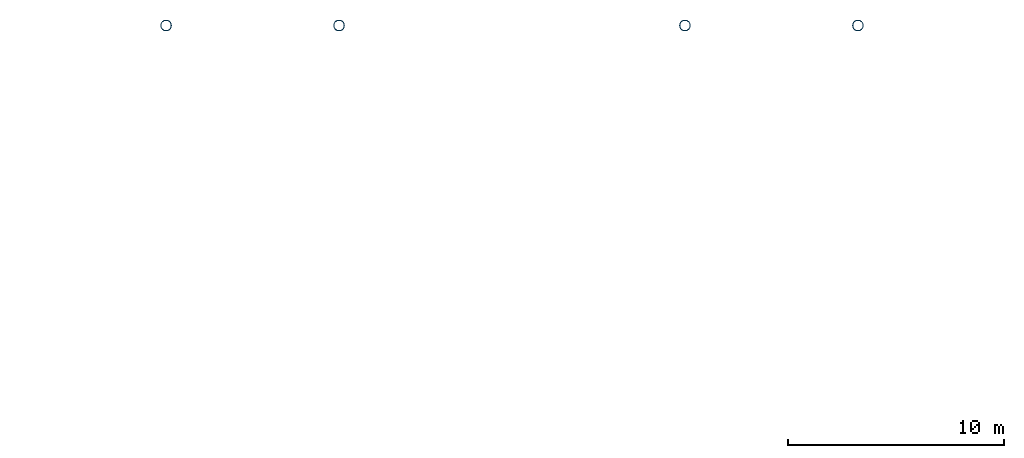
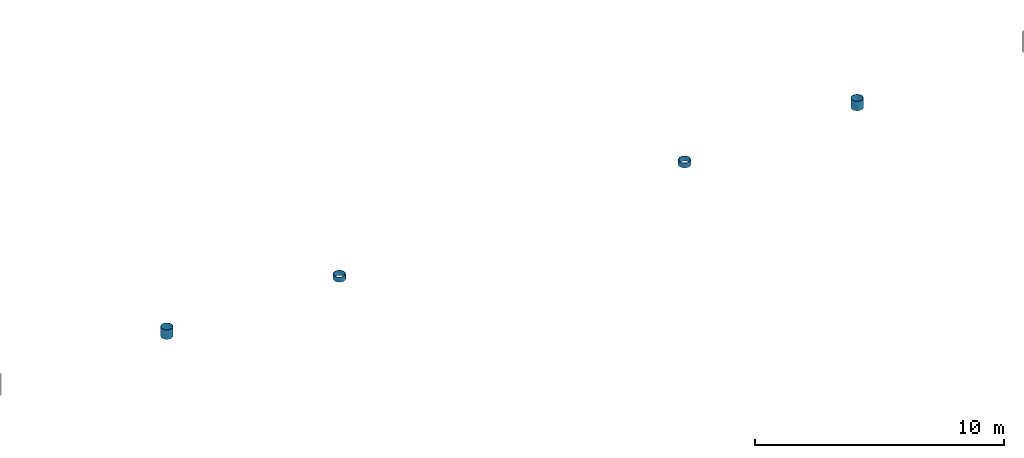
# One storey, part 11 of 41: 4 columns.
"""IFC4 building model written with IfcOpenShell, lengths in metres."""

from ifc_helpers import new_model, si_unit, direction, frame, origin, origin_2d, place, context, subcontext, project, spatial, hollow_circle, extrude, material, material_profile, profile_set, type_object, element, save


model = new_model("IFC4")

# Units and contexts
model_context = context("Model", 3, precision=1e-05, world=origin(), true_north=direction((0.0, 1.0)))
body_context = subcontext(model_context, "Body", "Model", "MODEL_VIEW")
ifc_project = project(units=[si_unit("LENGTHUNIT", "METRE"), si_unit("AREAUNIT", "SQUARE_METRE"), si_unit("VOLUMEUNIT", "CUBIC_METRE"), si_unit("PLANEANGLEUNIT", "RADIAN"), si_unit("MASSUNIT", "GRAM", prefix="KILO")], contexts=[model_context])

# Site, building, storey
site_placement = place(None, origin())
site = spatial("IfcSite", under=ifc_project, at=site_placement, CompositionType="ELEMENT")
building_placement = place(site_placement, origin())
building = spatial("IfcBuilding", under=site, at=building_placement, Name="Haebicheon Civic Stadium", CompositionType="ELEMENT")
storey_placement = place(building_placement, frame((0.0, 0.0, 27.0)))
storey = spatial("IfcBuildingStorey", under=building, at=storey_placement, Name="L07", CompositionType="ELEMENT", Elevation=27.0)

# Columns
ifc_material = material(Name="White painted steel SM490", Category="steel")
ifc_material_profile = material_profile(ifc_material, hollow_circle(Radius=0.25390625, WallThickness=0.02490234375, at=origin_2d()), Name="CHS-508.0x25.0")
ifc_profile_set = profile_set([ifc_material_profile], Name="White painted steel SM490")
column_type = type_object("IfcColumnType", Name="COL-ST-CHS508", PredefinedType="COLUMN", material=ifc_profile_set)
column_1_placement = place(storey_placement, frame((88.0, 144.0, 0.0), z_axis=(0.0, 0.0, 1.0), x_axis=(1.0, 0.0, 0.0)))
element("IfcColumn", 1, at=column_1_placement, inside=storey, type_object=column_type, material=ifc_profile_set, Name="Bowl/canopy support column 88/144 (L07)", PredefinedType="COLUMN", context=body_context, shape_type="SweptSolid", body=[
    extrude(hollow_circle(Radius=0.25390625, WallThickness=0.02490234375, at=origin_2d()), origin(), (0.0, 0.0, 1.0), 0.4599609375),
])
for number, where, z_axis, x_axis, name in (
    (2, (96.0, 144.0, 0.0), (0.0, 0.0, 1.0), (1.0, 0.0, 0.0), "Bowl/canopy support column 96/144 (L07)"),
    (3, (112.0, 144.0, 0.0), (0.0, 0.0, 1.0), (1.0, 0.0, 0.0), "Bowl/canopy support column 112/144 (L07)"),
):
    element("IfcColumn", number, at=place(storey_placement, frame(where, z_axis=z_axis, x_axis=x_axis)), inside=storey, type_object=column_type, material=ifc_profile_set, Name=name, PredefinedType="COLUMN", context=body_context, shape_type="SweptSolid", body=[
        extrude(hollow_circle(Radius=0.25390625, WallThickness=0.02490234375, at=origin_2d()), origin(), (0.0, 0.0, 1.0), 0.239990234375),
    ])
column_2_placement = place(storey_placement, frame((120.0, 144.0, 0.0), z_axis=(0.0, 0.0, 1.0), x_axis=(1.0, 0.0, 0.0)))
element("IfcColumn", 4, at=column_2_placement, inside=storey, type_object=column_type, material=ifc_profile_set, Name="Bowl/canopy support column 120/144 (L07)", PredefinedType="COLUMN", context=body_context, shape_type="SweptSolid", body=[
    extrude(hollow_circle(Radius=0.25390625, WallThickness=0.02490234375, at=origin_2d()), origin(), (0.0, 0.0, 1.0), 0.4599609375),
])

save(model, "model.ifc")
